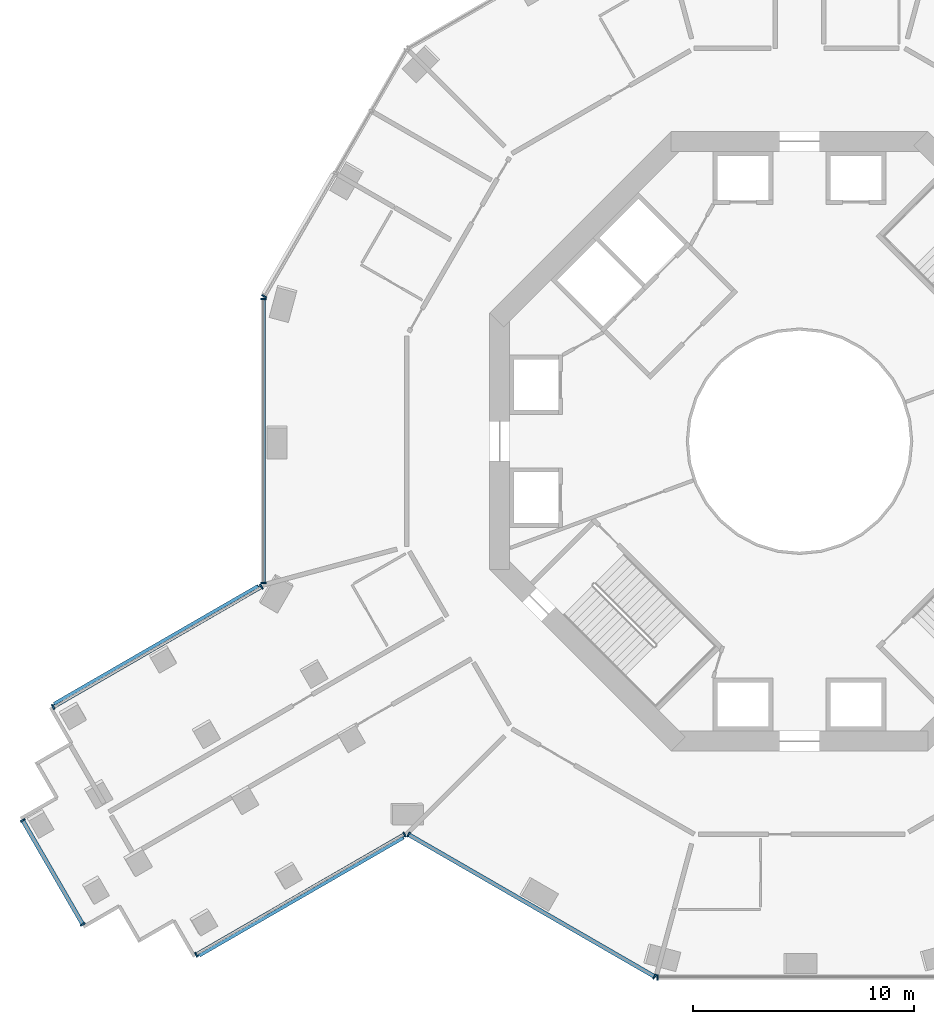
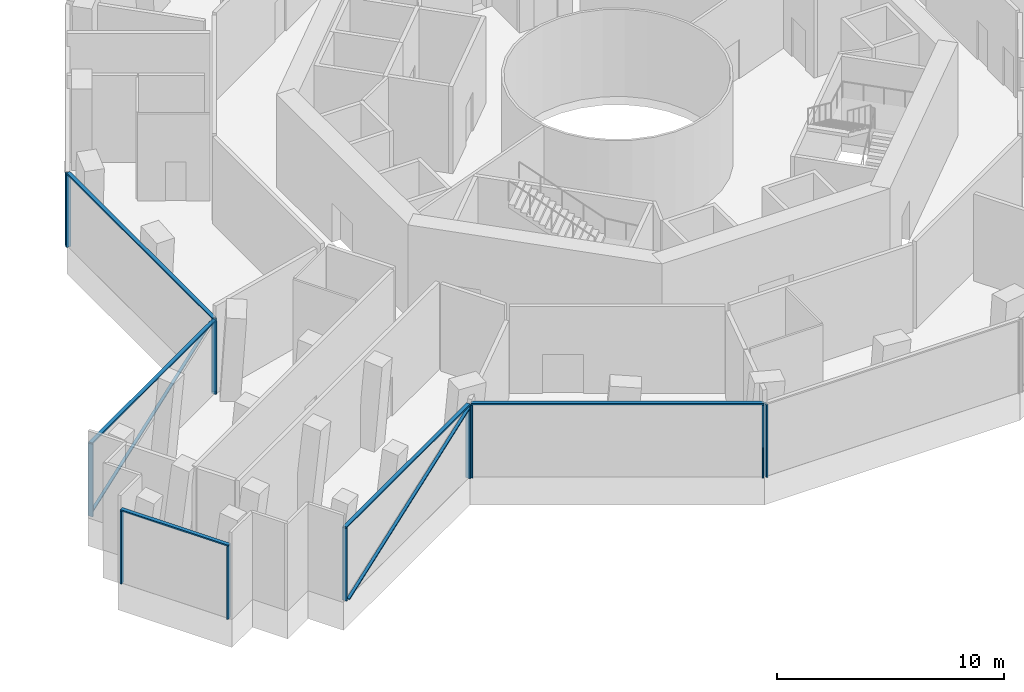
# One storey, part 2 of 16: 19 members, 7 elements without a shape of their own.
"""IFC4 building model written with IfcOpenShell, lengths in metres."""

from ifc_helpers import new_model, si_unit, direction, frame, origin, origin_2d, place, context, subcontext, project, spatial, rectangle, extrude, material, layer, layer_set, material_profile, profile_set, type_object, element, aggregate, save


model = new_model("IFC4")

# Units and contexts
model_context = context("Model", 3, precision=1e-05, world=origin(), true_north=direction((0.0, 1.0)))
body_context = subcontext(model_context, "Body", "Model", "MODEL_VIEW")
ifc_project = project(units=[si_unit("LENGTHUNIT", "METRE"), si_unit("AREAUNIT", "SQUARE_METRE"), si_unit("VOLUMEUNIT", "CUBIC_METRE"), si_unit("PLANEANGLEUNIT", "RADIAN"), si_unit("MASSUNIT", "GRAM", prefix="KILO")], contexts=[model_context])

# Site, building, storey
site_placement = place(None, origin())
site = spatial("IfcSite", under=ifc_project, at=site_placement, CompositionType="ELEMENT")
building_placement = place(site_placement, origin())
building = spatial("IfcBuilding", under=site, at=building_placement, Name="Verdalira Terraces Hotel", CompositionType="ELEMENT")
storey_placement = place(building_placement, frame((0.0, 0.0, 34.0)))
storey = spatial("IfcBuildingStorey", under=building, at=storey_placement, Name="L06", CompositionType="ELEMENT", Elevation=34.0)

# Curtain wall, member
ifc_material_1 = material(Name="Clear glass", Category="glass")
ifc_layer = layer(ifc_material_1, 0.239990234375)
ifc_layer_set = layer_set([ifc_layer], Name="CW5 curtain wall")
curtain_wall_type = type_object("IfcCurtainWallType", Name="CW5 curtain wall", PredefinedType="NOTDEFINED", material=ifc_layer_set)
curtain_wall_1_placement = place(storey_placement, origin())
curtain_wall_1 = element("IfcCurtainWall", 1, at=curtain_wall_1_placement, inside=storey, type_object=curtain_wall_type, Name="CW5 curtain wall L06 edge 12", PredefinedType="NOTDEFINED")
ifc_material_2 = material(Name="Terracotta frame", Category="masonry")
ifc_material_profile_1 = material_profile(ifc_material_2, rectangle(XDim=0.070068, YDim=0.23999, at=origin_2d()), Name="MU 70x240")
ifc_profile_set_1 = profile_set([ifc_material_profile_1], Name="Terracotta frame")
member_type_1 = type_object("IfcMemberType", Name="CW5 mullion 70x240", PredefinedType="MULLION", material=ifc_profile_set_1)
member_1_placement = place(storey_placement, frame((-24.194824, 6.550049, 0.0), z_axis=(0.0, 0.0, 1.0), x_axis=(-0.5, -0.866025404, 0.0)))
member_1 = element("IfcMember", 2, at=member_1_placement, type_object=member_type_1, Name="CW5 mullion", PredefinedType="MULLION", context=body_context, shape_type="SweptSolid", body=[
    extrude(rectangle(XDim=0.070068, YDim=0.23999, at=origin_2d()), origin(), (0.0, 0.0, 1.0), 3.915039),
])
aggregate(curtain_wall_1, [member_1])

# Curtain wall, members
curtain_wall_2_placement = place(storey_placement, origin())
curtain_wall_2 = element("IfcCurtainWall", 3, at=curtain_wall_2_placement, inside=storey, type_object=curtain_wall_type, Name="CW5 curtain wall L06 edge 13", PredefinedType="NOTDEFINED")
member_2_placement = place(storey_placement, frame((-24.228271, 6.424805, 0.0), z_axis=(0.0, 0.0, 1.0), x_axis=(0.0, -1.0, 0.0)))
member_2 = element("IfcMember", 4, at=member_2_placement, type_object=member_type_1, Name="CW5 mullion", PredefinedType="MULLION", context=body_context, shape_type="SweptSolid", body=[
    extrude(rectangle(XDim=0.070068, YDim=0.23999, at=origin_2d()), origin(), (0.0, 0.0, 1.0), 3.915039),
])
member_3_placement = place(storey_placement, frame((-24.228271, -6.413086, 0.0), z_axis=(0.0, 0.0, 1.0), x_axis=(0.0, -1.0, 0.0)))
member_3 = element("IfcMember", 5, at=member_3_placement, type_object=member_type_1, Name="CW5 mullion", PredefinedType="MULLION", context=body_context, shape_type="SweptSolid", body=[
    extrude(rectangle(XDim=0.070068, YDim=0.23999, at=origin_2d()), origin(), (0.0, 0.0, 1.0), 3.915039),
])

curtain_wall_3_placement = place(storey_placement, origin())
curtain_wall_3 = element("IfcCurtainWall", 6, at=curtain_wall_3_placement, inside=storey, type_object=curtain_wall_type, Name="CW5 curtain wall L06 edge 14", PredefinedType="NOTDEFINED")
member_4_placement = place(storey_placement, frame((-24.318604, -6.56958, 0.0), z_axis=(0.0, 0.0, 1.0), x_axis=(-0.866025404, -0.5, 0.0)))
member_4 = element("IfcMember", 7, at=member_4_placement, type_object=member_type_1, Name="CW5 mullion", PredefinedType="MULLION", context=body_context, shape_type="SweptSolid", body=[
    extrude(rectangle(XDim=0.070068, YDim=0.23999, at=origin_2d()), origin(), (0.0, 0.0, 1.0), 3.915039),
])
member_5_placement = place(storey_placement, frame((-33.732178, -12.004395, 0.0), z_axis=(0.0, 0.0, 1.0), x_axis=(-0.866025404, -0.5, 0.0)))
member_5 = element("IfcMember", 8, at=member_5_placement, type_object=member_type_1, Name="CW5 mullion", PredefinedType="MULLION", context=body_context, shape_type="SweptSolid", body=[
    extrude(rectangle(XDim=0.070068, YDim=0.23999, at=origin_2d()), origin(), (0.0, 0.0, 1.0), 3.915039),
])

curtain_wall_4_placement = place(storey_placement, origin())
curtain_wall_4 = element("IfcCurtainWall", 9, at=curtain_wall_4_placement, inside=storey, type_object=curtain_wall_type, Name="CW5 curtain wall L06 edge 19", PredefinedType="NOTDEFINED")
member_6_placement = place(storey_placement, frame((-35.106445, -17.133789, 0.0), z_axis=(0.0, 0.0, 1.0), x_axis=(0.5, -0.866025404, 0.0)))
member_6 = element("IfcMember", 10, at=member_6_placement, type_object=member_type_1, Name="CW5 mullion", PredefinedType="MULLION", context=body_context, shape_type="SweptSolid", body=[
    extrude(rectangle(XDim=0.070068, YDim=0.23999, at=origin_2d()), origin(), (0.0, 0.0, 1.0), 3.915039),
])
member_7_placement = place(storey_placement, frame((-32.391602, -21.836182, 0.0), z_axis=(0.0, 0.0, 1.0), x_axis=(0.5, -0.866025404, 0.0)))
member_7 = element("IfcMember", 11, at=member_7_placement, type_object=member_type_1, Name="CW5 mullion", PredefinedType="MULLION", context=body_context, shape_type="SweptSolid", body=[
    extrude(rectangle(XDim=0.070068, YDim=0.23999, at=origin_2d()), origin(), (0.0, 0.0, 1.0), 3.915039),
])

curtain_wall_5_placement = place(storey_placement, origin())
curtain_wall_5 = element("IfcCurtainWall", 12, at=curtain_wall_5_placement, inside=storey, type_object=curtain_wall_type, Name="CW5 curtain wall L06 edge 24", PredefinedType="NOTDEFINED")
member_8_placement = place(storey_placement, frame((-27.261963, -23.210693, 0.0), z_axis=(0.0, 0.0, 1.0), x_axis=(0.866025404, 0.5, 0.0)))
member_8 = element("IfcMember", 13, at=member_8_placement, type_object=member_type_1, Name="CW5 mullion", PredefinedType="MULLION", context=body_context, shape_type="SweptSolid", body=[
    extrude(rectangle(XDim=0.070068, YDim=0.23999, at=origin_2d()), origin(), (0.0, 0.0, 1.0), 3.915039),
])
member_9_placement = place(storey_placement, frame((-17.848633, -17.775879, 0.0), z_axis=(0.0, 0.0, 1.0), x_axis=(0.866025404, 0.5, 0.0)))
member_9 = element("IfcMember", 14, at=member_9_placement, type_object=member_type_1, Name="CW5 mullion", PredefinedType="MULLION", context=body_context, shape_type="SweptSolid", body=[
    extrude(rectangle(XDim=0.070068, YDim=0.23999, at=origin_2d()), origin(), (0.0, 0.0, 1.0), 3.915039),
])

curtain_wall_6_placement = place(storey_placement, origin())
curtain_wall_6 = element("IfcCurtainWall", 15, at=curtain_wall_6_placement, inside=storey, type_object=curtain_wall_type, Name="CW5 curtain wall L06 edge 25", PredefinedType="NOTDEFINED")
member_10_placement = place(storey_placement, frame((-17.667969, -17.775879, 0.0), z_axis=(0.0, 0.0, 1.0), x_axis=(0.866025404, -0.5, 0.0)))
member_10 = element("IfcMember", 16, at=member_10_placement, type_object=member_type_1, Name="CW5 mullion", PredefinedType="MULLION", context=body_context, shape_type="SweptSolid", body=[
    extrude(rectangle(XDim=0.070068, YDim=0.23999, at=origin_2d()), origin(), (0.0, 0.0, 1.0), 3.915039),
])
member_11_placement = place(storey_placement, frame((-6.550049, -24.194824, 0.0), z_axis=(0.0, 0.0, 1.0), x_axis=(0.866025404, -0.5, 0.0)))
member_11 = element("IfcMember", 17, at=member_11_placement, type_object=member_type_1, Name="CW5 mullion", PredefinedType="MULLION", context=body_context, shape_type="SweptSolid", body=[
    extrude(rectangle(XDim=0.070068, YDim=0.23999, at=origin_2d()), origin(), (0.0, 0.0, 1.0), 3.915039),
])

# Curtain wall, member
curtain_wall_7_placement = place(storey_placement, origin())
curtain_wall_7 = element("IfcCurtainWall", 18, at=curtain_wall_7_placement, inside=storey, type_object=curtain_wall_type, Name="CW5 curtain wall L06 edge 26", PredefinedType="NOTDEFINED")
member_12_placement = place(storey_placement, frame((-6.424805, -24.228271, 0.0), z_axis=(0.0, 0.0, 1.0), x_axis=(1.0, 0.0, 0.0)))
member_12 = element("IfcMember", 19, at=member_12_placement, type_object=member_type_1, Name="CW5 mullion", PredefinedType="MULLION", context=body_context, shape_type="SweptSolid", body=[
    extrude(rectangle(XDim=0.070068, YDim=0.23999, at=origin_2d()), origin(), (0.0, 0.0, 1.0), 3.915039),
])
aggregate(curtain_wall_7, [member_12])

# Member
ifc_material_3 = material(Name="Terracotta frame", Category="masonry")
ifc_material_profile_2 = material_profile(ifc_material_3, rectangle(XDim=0.189941, YDim=0.074951, at=origin_2d()), Name="TR 75x190")
ifc_profile_set_2 = profile_set([ifc_material_profile_2], Name="Terracotta frame")
member_type_2 = type_object("IfcMemberType", Name="CW5 transom 75x190", PredefinedType="USERDEFINED", material=ifc_profile_set_2)
member_13_placement = place(storey_placement, frame((-24.228271, 6.459717, 3.952393), z_axis=(0.0, -1.0, 0.0), x_axis=(1.0, 0.0, 0.0)))
member_13 = element("IfcMember", 20, at=member_13_placement, type_object=member_type_2, Name="CW5 transom", ObjectType="TRANSOM", PredefinedType="USERDEFINED", context=body_context, shape_type="SweptSolid", body=[
    extrude(rectangle(XDim=0.189941, YDim=0.074951, at=origin_2d()), origin(), (0.0, 0.0, 1.0), 12.907715),
])

aggregate(curtain_wall_2, [member_2, member_3, member_13])

member_14_placement = place(storey_placement, frame((-24.28833, -6.552002, 3.952393), z_axis=(-0.866031729, -0.499989044, 0.0), x_axis=(0.499989044, -0.866031729, 0.0)))
member_14 = element("IfcMember", 21, at=member_14_placement, type_object=member_type_2, Name="CW5 transom", ObjectType="TRANSOM", PredefinedType="USERDEFINED", context=body_context, shape_type="SweptSolid", body=[
    extrude(rectangle(XDim=0.189941, YDim=0.074951, at=origin_2d()), origin(), (0.0, 0.0, 1.0), 10.939697),
])

member_15_placement = place(storey_placement, frame((-35.124023, -17.103516, 3.952393), z_axis=(0.500015767, -0.8660163, 0.0), x_axis=(0.8660163, 0.500015767, 0.0)))
member_15 = element("IfcMember", 22, at=member_15_placement, type_object=member_type_2, Name="CW5 transom", ObjectType="TRANSOM", PredefinedType="USERDEFINED", context=body_context, shape_type="SweptSolid", body=[
    extrude(rectangle(XDim=0.189941, YDim=0.074951, at=origin_2d()), origin(), (0.0, 0.0, 1.0), 5.499756),
])

aggregate(curtain_wall_4, [member_6, member_7, member_15])

member_16_placement = place(storey_placement, frame((-27.29248, -23.228271, 3.952393), z_axis=(0.866022066, 0.500005782, 0.0), x_axis=(-0.500005782, 0.866022066, 0.0)))
member_16 = element("IfcMember", 23, at=member_16_placement, type_object=member_type_2, Name="CW5 transom", ObjectType="TRANSOM", PredefinedType="USERDEFINED", context=body_context, shape_type="SweptSolid", body=[
    extrude(rectangle(XDim=0.189941, YDim=0.074951, at=origin_2d()), origin(), (0.0, 0.0, 1.0), 10.939697),
])

member_17_placement = place(storey_placement, frame((-17.698242, -17.758301, 3.952393), z_axis=(0.866026524, -0.49999806, 0.0), x_axis=(0.49999806, 0.866026524, 0.0)))
member_17 = element("IfcMember", 24, at=member_17_placement, type_object=member_type_2, Name="CW5 transom", ObjectType="TRANSOM", PredefinedType="USERDEFINED", context=body_context, shape_type="SweptSolid", body=[
    extrude(rectangle(XDim=0.189941, YDim=0.074951, at=origin_2d()), origin(), (0.0, 0.0, 1.0), 12.907715),
])

aggregate(curtain_wall_6, [member_10, member_11, member_17])

ifc_material_4 = material(Name="Terracotta frame", Category="masonry")
ifc_material_profile_3 = material_profile(ifc_material_4, rectangle(XDim=0.149902, YDim=0.060059, at=origin_2d()), Name="GB 60x150")
ifc_profile_set_3 = profile_set([ifc_material_profile_3], Name="Terracotta frame")
member_type_3 = type_object("IfcMemberType", Name="Diagonal glazing bar 60x150", PredefinedType="USERDEFINED", material=ifc_profile_set_3)
member_18_placement = place(storey_placement, frame((-24.466553, -6.542725, 3.88623), z_axis=(-0.814163465, -0.470080551, -0.340825656), x_axis=(0.500018392, -0.866014785, 0.0)))
member_18 = element("IfcMember", 25, at=member_18_placement, type_object=member_type_3, Name="Diagonal glazing bar", ObjectType="GLAZING BAR", PredefinedType="USERDEFINED", context=body_context, shape_type="SweptSolid", body=[
    extrude(rectangle(XDim=0.149902, YDim=0.060059, at=origin_2d()), origin(), (0.0, 0.0, 1.0), 11.317871),
])

aggregate(curtain_wall_3, [member_4, member_5, member_14, member_18])

member_19_placement = place(storey_placement, frame((-27.114258, -23.237305, 0.028809), z_axis=(0.814178993, 0.47005549, 0.340823126), x_axis=(-0.499991248, 0.866030456, 0.0)))
member_19 = element("IfcMember", 26, at=member_19_placement, type_object=member_type_3, Name="Diagonal glazing bar", ObjectType="GLAZING BAR", PredefinedType="USERDEFINED", context=body_context, shape_type="SweptSolid", body=[
    extrude(rectangle(XDim=0.149902, YDim=0.060059, at=origin_2d()), origin(), (0.0, 0.0, 1.0), 11.317871),
])

aggregate(curtain_wall_5, [member_8, member_9, member_16, member_19])

save(model, "model.ifc")
